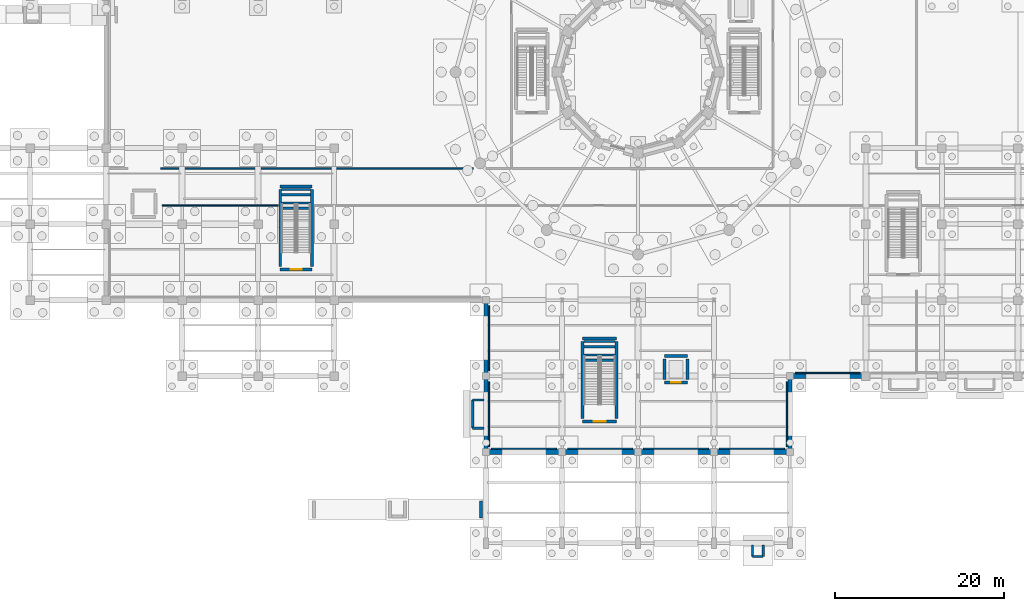
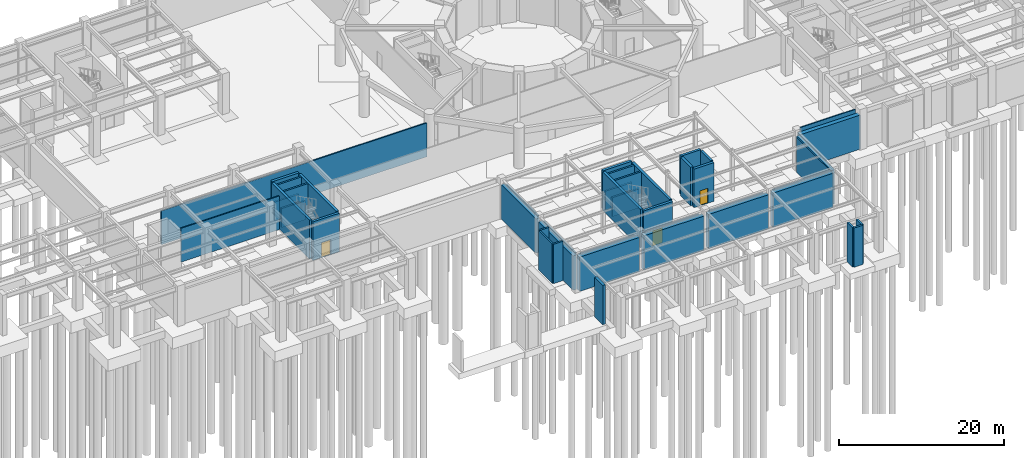
# One storey, part 17 of 36: 45 walls, 3 doors, 3 openings.
"""IFC4 building model written with IfcOpenShell, lengths in metres."""

from ifc_helpers import new_model, si_unit, direction, frame, frame_2d, origin, place, context, subcontext, project, spatial, rectangle, extrude, material, layer, layer_set, type_object, element, fill, save


model = new_model("IFC4")

# Units and contexts
model_context = context("Model", 3, precision=1e-05, world=origin(), true_north=direction((0.0, 1.0)))
body_context = subcontext(model_context, "Body", "Model", "MODEL_VIEW")
ifc_project = project(units=[si_unit("LENGTHUNIT", "METRE"), si_unit("AREAUNIT", "SQUARE_METRE"), si_unit("VOLUMEUNIT", "CUBIC_METRE"), si_unit("PLANEANGLEUNIT", "RADIAN"), si_unit("MASSUNIT", "GRAM", prefix="KILO")], contexts=[model_context])

# Site, building, storey
site_placement = place(None, origin())
site = spatial("IfcSite", under=ifc_project, at=site_placement, CompositionType="ELEMENT")
building_placement = place(site_placement, origin())
building = spatial("IfcBuilding", under=site, at=building_placement, Name="Haizhuo Lancet Aquarium", CompositionType="ELEMENT")
storey_placement = place(building_placement, frame((0.0, 0.0, -6.0)))
storey = spatial("IfcBuildingStorey", under=building, at=storey_placement, Name="B1", CompositionType="ELEMENT", Elevation=-6.0)

# Walls
ifc_material_1 = material(Name="Concrete C40/50", Category="concrete")
ifc_layer_1 = layer(ifc_material_1, 0.179931640625)
ifc_layer_set_1 = layer_set([ifc_layer_1], Name="Concrete C40/50")
wall_type_1 = type_object("IfcWallType", Name="IWL-LAB-180", PredefinedType="PARTITIONING", material=ifc_layer_set_1)
wall_1_placement = place(storey_placement, frame((-56.550048828125, -11.39990234375, 0.0), z_axis=(0.0, 0.0, 1.0), x_axis=(1.0, 0.0, 0.0)))
element("IfcWall", 1, at=wall_1_placement, inside=storey, type_object=wall_type_1, Name="B1 partition wall 35", PredefinedType="PARTITIONING", context=body_context, shape_type="SweptSolid", body=[
    extrude(rectangle(XDim=37.06396484375, YDim=0.179931640625, at=frame_2d((18.531982421875, 0.0))), origin(), (0.0, 0.0, 1.0), 4.985107421875),
])
ifc_material_2 = material(Name="Gypsum Fireboard Partition")
ifc_layer_2 = layer(ifc_material_2, 0.14990234375)
ifc_layer_set_2 = layer_set([ifc_layer_2], Name="Gypsum Fireboard Partition")
wall_type_2 = type_object("IfcWallType", Name="IWL-STD-150", PredefinedType="PARTITIONING", material=ifc_layer_set_2)
wall_2_placement = place(storey_placement, frame((-17.64990234375, -27.64990234375, 0.0), z_axis=(0.0, 0.0, 1.0), x_axis=(0.0, -1.0, 0.0)))
element("IfcWall", 2, at=wall_2_placement, inside=storey, type_object=wall_type_2, Name="B1 partition wall 22", PredefinedType="PARTITIONING", context=body_context, shape_type="SweptSolid", body=[
    extrude(rectangle(XDim=7.7001953125, YDim=0.14990234375, at=frame_2d((3.85009765625, 0.0))), origin(), (0.0, 0.0, 1.0), 5.18505859375),
])
wall_3_placement = place(storey_placement, frame((-17.64990234375, -36.64990234375, 0.0), z_axis=(0.0, 0.0, 1.0), x_axis=(0.0, -1.0, 0.0)))
element("IfcWall", 3, at=wall_3_placement, inside=storey, type_object=wall_type_2, Name="B1 partition wall 23", PredefinedType="PARTITIONING", context=body_context, shape_type="SweptSolid", body=[
    extrude(rectangle(XDim=7.7001953125, YDim=0.14990234375, at=frame_2d((3.85009765625, 0.0))), origin(), (0.0, 0.0, 1.0), 5.197021484375),
])
wall_4_placement = place(storey_placement, frame((-17.360107421875, -44.597900390625, 0.0), z_axis=(0.0, 0.0, 1.0), x_axis=(0.999999959393, -0.000284981465, 0.0)))
element("IfcWall", 4, at=wall_4_placement, inside=storey, type_object=wall_type_2, Name="B1 partition wall 24", PredefinedType="PARTITIONING", context=body_context, shape_type="SweptSolid", body=[
    extrude(rectangle(XDim=7.710205078125, YDim=0.14990234375, at=frame_2d((3.85498046875, 0.0))), origin(), (0.0, 0.0, 1.0), 5.096923828125),
])
for number, where, z_axis, x_axis, name in (
    (5, (-8.35009765625, -44.60009765625, 0.0), (0.0, 0.0, 1.0), (1.0, 0.0, 0.0), "B1 partition wall 25"),
    (6, (0.64990234375, -44.60009765625, 0.0), (0.0, 0.0, 1.0), (1.0, 0.0, 0.0), "B1 partition wall 26"),
):
    element("IfcWall", number, at=place(storey_placement, frame(where, z_axis=z_axis, x_axis=x_axis)), inside=storey, type_object=wall_type_2, Name=name, PredefinedType="PARTITIONING", context=body_context, shape_type="SweptSolid", body=[
        extrude(rectangle(XDim=7.7001953125, YDim=0.14990234375, at=frame_2d((3.85009765625, 0.0))), origin(), (0.0, 0.0, 1.0), 5.096923828125),
    ])
wall_5_placement = place(storey_placement, frame((9.64990234375, -44.60009765625, 0.0), z_axis=(0.0, 0.0, 1.0), x_axis=(0.999999959393, 0.000284981465, 0.0)))
element("IfcWall", 7, at=wall_5_placement, inside=storey, type_object=wall_type_2, Name="B1 partition wall 27", PredefinedType="PARTITIONING", context=body_context, shape_type="SweptSolid", body=[
    extrude(rectangle(XDim=7.710205078125, YDim=0.14990234375, at=frame_2d((3.85498046875, 0.0))), origin(), (0.0, 0.0, 1.0), 5.096923828125),
])
wall_6_placement = place(storey_placement, frame((17.64990234375, -44.35009765625, 0.0), z_axis=(0.0, 0.0, 1.0), x_axis=(0.0, 1.0, 0.0)))
element("IfcWall", 8, at=wall_6_placement, inside=storey, type_object=wall_type_2, Name="B1 partition wall 28", PredefinedType="PARTITIONING", context=body_context, shape_type="SweptSolid", body=[
    extrude(rectangle(XDim=7.7001953125, YDim=0.14990234375, at=frame_2d((3.85009765625, 0.0))), origin(), (0.0, 0.0, 1.0), 5.18505859375),
])
wall_7_placement = place(storey_placement, frame((18.64990234375, -35.64990234375, 0.0), z_axis=(0.0, 0.0, 1.0), x_axis=(1.0, 0.0, 0.0)))
element("IfcWall", 9, at=wall_7_placement, inside=storey, type_object=wall_type_2, Name="B1 partition wall 29", PredefinedType="PARTITIONING", context=body_context, shape_type="SweptSolid", body=[
    extrude(rectangle(XDim=7.7001953125, YDim=0.14990234375, at=frame_2d((3.85009765625, 0.0))), origin(), (0.0, 0.0, 1.0), 5.64990234375),
])
wall_8_placement = place(storey_placement, frame((-42.62109375, -15.803955078125, 0.0), z_axis=(0.0, 0.0, 1.0), x_axis=(-0.999999977148, 0.000213785604, 0.0)))
element("IfcWall", 10, at=wall_8_placement, inside=storey, type_object=wall_type_2, Name="B1 partition wall 33", PredefinedType="PARTITIONING", context=body_context, shape_type="SweptSolid", body=[
    extrude(rectangle(XDim=13.703857421875, YDim=0.14990234375, at=frame_2d((6.85205078125, 0.0))), origin(), (0.0, 0.0, 1.0), 4.985107421875),
])
ifc_layer_3 = layer(ifc_material_1, 0.35009765625)
ifc_layer_set_3 = layer_set([ifc_layer_3], Name="Concrete C40/50")
wall_type_3 = type_object("IfcWallType", Name="WL-CORE-350", PredefinedType="SHEAR", material=ifc_layer_set_3)
for number, where, z_axis, x_axis, name in (
    (11, (-6.39990234375, -33.52490234375, 0.0), (0.0, 0.0, 1.0), (1.0, 0.0, 0.0), "B1 ST-06 landing support wall"),
    (12, (-6.39990234375, -31.925048828125, 0.0), (0.0, 0.0, 1.0), (1.0, 0.0, 0.0), "B1 ST-06 far landing support wall"),
):
    element("IfcWall", number, at=place(storey_placement, frame(where, z_axis=z_axis, x_axis=x_axis)), inside=storey, type_object=wall_type_3, Name=name, PredefinedType="SHEAR", context=body_context, shape_type="SweptSolid", body=[
        extrude(rectangle(XDim=3.699951171875, YDim=0.25, at=frame_2d((1.85009765625, 0.0))), origin(), (0.0, 0.0, 1.0), 2.800048828125),
    ])
for number, where, z_axis, x_axis, name in (
    (13, (-6.39990234375, -34.125, 0.0), (0.0, 0.0, 1.0), (1.0, 0.0, 0.0), "B1 ST-06 upper landing support wall UP1"),
    (14, (-6.39990234375, -32.52490234375, 0.0), (0.0, 0.0, 1.0), (1.0, 0.0, 0.0), "B1 ST-06 upper landing support wall UP2"),
):
    element("IfcWall", number, at=place(storey_placement, frame(where, z_axis=z_axis, x_axis=x_axis)), inside=storey, type_object=wall_type_3, Name=name, PredefinedType="SHEAR", context=body_context, shape_type="SweptSolid", body=[
        extrude(rectangle(XDim=3.699951171875, YDim=0.25, at=frame_2d((1.85009765625, 0.0))), origin(), (0.0, 0.0, 1.0), 5.699951171875),
    ])

# Wall, opening, door
wall_9_placement = place(storey_placement, frame((-6.574951171875, -41.375, 0.0), z_axis=(0.0, 0.0, 1.0), x_axis=(1.0, 0.0, 0.0)))
wall_9 = element("IfcWall", 15, at=wall_9_placement, inside=storey, type_object=wall_type_3, Name="B1 ST-06 core shear wall S", PredefinedType="SHEAR", context=body_context, shape_type="SweptSolid", body=[
    extrude(rectangle(XDim=4.050048828125, YDim=0.35009765625, at=frame_2d((2.02490234375, 0.0))), origin(), (0.0, 0.0, 1.0), 5.699951171875),
])
opening_1_placement = place(wall_9_placement, frame((1.324951171875, 0.0, 0.0)))
opening_1 = element("IfcOpeningElement", 16, at=opening_1_placement, cuts=wall_9, Name="Opening FD-01", PredefinedType="OPENING", context=body_context, shape_type="SweptSolid", body=[
    extrude(rectangle(XDim=1.39990234375, YDim=2.199951171875, at=frame_2d((0.699951171875, 1.10009765625))), frame((0.0, 0.18505859375, 0.0), z_axis=(0.0, -1.0, 0.0), x_axis=(1.0, 0.0, 0.0)), (0.0, 0.0, 1.0), 0.370098),
])
ifc_material_3 = material(Name="Steel S355", Category="steel")
door_type_1 = type_object("IfcDoorType", Name="IDR-STAIR-1400x2200", OperationType="NOTDEFINED", PredefinedType="DOOR", material=ifc_material_3)
door_1_placement = place(opening_1_placement, origin())
door_1 = element("IfcDoor", 17, at=door_1_placement, inside=storey, type_object=door_type_1, Name="B1 ST-06 stairwell fire door", OperationType="SINGLE_SWING_RIGHT", OverallHeight=2.199951171875, OverallWidth=1.39990234375, PredefinedType="DOOR", context=body_context, shape_type="SweptSolid", body=[
    extrude(rectangle(XDim=1.39990234375, YDim=2.199951171875, at=frame_2d((0.699951171875, 1.10009765625))), frame((0.0, 0.02490234375, 0.0), z_axis=(0.0, -1.0, 0.0), x_axis=(1.0, 0.0, 0.0)), (0.0, 0.0, 1.0), 0.050048828125),
])
fill(opening_1, door_1)

# Walls
wall_10_placement = place(storey_placement, frame((-6.574951171875, -31.574951171875, 0.0), z_axis=(0.0, 0.0, 1.0), x_axis=(1.0, 0.0, 0.0)))
element("IfcWall", 18, at=wall_10_placement, inside=storey, type_object=wall_type_3, Name="B1 ST-06 core shear wall N", PredefinedType="SHEAR", context=body_context, shape_type="SweptSolid", body=[
    extrude(rectangle(XDim=4.050048828125, YDim=0.35009765625, at=frame_2d((2.02490234375, 0.0))), origin(), (0.0, 0.0, 1.0), 5.699951171875),
])
for number, where, z_axis, x_axis, name in (
    (19, (-6.574951171875, -41.02490234375, 0.0), (0.0, 0.0, 1.0), (0.0, 1.0, 0.0), "B1 ST-06 core shear wall W"),
    (20, (-2.52490234375, -41.02490234375, 0.0), (0.0, 0.0, 1.0), (0.0, 1.0, 0.0), "B1 ST-06 core shear wall E"),
):
    element("IfcWall", number, at=place(storey_placement, frame(where, z_axis=z_axis, x_axis=x_axis)), inside=storey, type_object=wall_type_3, Name=name, PredefinedType="SHEAR", context=body_context, shape_type="SweptSolid", body=[
        extrude(rectangle(XDim=9.099853515625, YDim=0.35009765625, at=frame_2d((4.5498046875, 0.0))), origin(), (0.0, 0.0, 1.0), 5.699951171875),
    ])
for number, where, z_axis, x_axis, name in (
    (21, (-42.199951171875, -15.52490234375, 0.0), (0.0, 0.0, 1.0), (1.0, 0.0, 0.0), "B1 ST-09 landing support wall"),
    (22, (-42.199951171875, -13.925048828125, 0.0), (0.0, 0.0, 1.0), (1.0, 0.0, 0.0), "B1 ST-09 far landing support wall"),
):
    element("IfcWall", number, at=place(storey_placement, frame(where, z_axis=z_axis, x_axis=x_axis)), inside=storey, type_object=wall_type_3, Name=name, PredefinedType="SHEAR", context=body_context, shape_type="SweptSolid", body=[
        extrude(rectangle(XDim=3.39990234375, YDim=0.25, at=frame_2d((1.699951171875, 0.0))), origin(), (0.0, 0.0, 1.0), 2.800048828125),
    ])
for number, where, z_axis, x_axis, name in (
    (23, (-42.199951171875, -16.125, 0.0), (0.0, 0.0, 1.0), (1.0, 0.0, 0.0), "B1 ST-09 upper landing support wall UP1"),
    (24, (-42.199951171875, -14.52490234375, 0.0), (0.0, 0.0, 1.0), (1.0, 0.0, 0.0), "B1 ST-09 upper landing support wall UP2"),
):
    element("IfcWall", number, at=place(storey_placement, frame(where, z_axis=z_axis, x_axis=x_axis)), inside=storey, type_object=wall_type_3, Name=name, PredefinedType="SHEAR", context=body_context, shape_type="SweptSolid", body=[
        extrude(rectangle(XDim=3.39990234375, YDim=0.25, at=frame_2d((1.699951171875, 0.0))), origin(), (0.0, 0.0, 1.0), 5.699951171875),
    ])

# Wall, opening, door
wall_11_placement = place(storey_placement, frame((-42.375, -23.375, 0.0), z_axis=(0.0, 0.0, 1.0), x_axis=(1.0, 0.0, 0.0)))
wall_11 = element("IfcWall", 25, at=wall_11_placement, inside=storey, type_object=wall_type_3, Name="B1 ST-09 core shear wall S", PredefinedType="SHEAR", context=body_context, shape_type="SweptSolid", body=[
    extrude(rectangle(XDim=3.75, YDim=0.35009765625, at=frame_2d((1.875, 0.0))), origin(), (0.0, 0.0, 1.0), 5.699951171875),
])
opening_2_placement = place(wall_11_placement, frame((1.22509765625, 0.0, 0.0)))
opening_2 = element("IfcOpeningElement", 26, at=opening_2_placement, cuts=wall_11, Name="Opening FD-02", PredefinedType="OPENING", context=body_context, shape_type="SweptSolid", body=[
    extrude(rectangle(XDim=1.300048828125, YDim=2.199951171875, at=frame_2d((0.64990234375, 1.10009765625))), frame((0.0, 0.18505859375, 0.0), z_axis=(0.0, -1.0, 0.0), x_axis=(1.0, 0.0, 0.0)), (0.0, 0.0, 1.0), 0.370098),
])
door_type_2 = type_object("IfcDoorType", Name="IDR-STAIR-1300x2200", OperationType="NOTDEFINED", PredefinedType="DOOR", material=ifc_material_3)
door_2_placement = place(opening_2_placement, origin())
door_2 = element("IfcDoor", 27, at=door_2_placement, inside=storey, type_object=door_type_2, Name="B1 ST-09 stairwell fire door", OperationType="SINGLE_SWING_LEFT", OverallHeight=2.199951171875, OverallWidth=1.300048828125, PredefinedType="DOOR", context=body_context, shape_type="SweptSolid", body=[
    extrude(rectangle(XDim=1.300048828125, YDim=2.199951171875, at=frame_2d((0.64990234375, 1.10009765625))), frame((0.0, 0.02490234375, 0.0), z_axis=(0.0, -1.0, 0.0), x_axis=(1.0, 0.0, 0.0)), (0.0, 0.0, 1.0), 0.050048828125),
])
fill(opening_2, door_2)

# Walls
wall_12_placement = place(storey_placement, frame((-42.375, -13.574951171875, 0.0), z_axis=(0.0, 0.0, 1.0), x_axis=(1.0, 0.0, 0.0)))
element("IfcWall", 28, at=wall_12_placement, inside=storey, type_object=wall_type_3, Name="B1 ST-09 core shear wall N", PredefinedType="SHEAR", context=body_context, shape_type="SweptSolid", body=[
    extrude(rectangle(XDim=3.75, YDim=0.35009765625, at=frame_2d((1.875, 0.0))), origin(), (0.0, 0.0, 1.0), 5.699951171875),
])
for number, where, z_axis, x_axis, name in (
    (29, (-42.375, -23.02490234375, 0.0), (0.0, 0.0, 1.0), (0.0, 1.0, 0.0), "B1 ST-09 core shear wall W"),
    (30, (-38.625, -23.02490234375, 0.0), (0.0, 0.0, 1.0), (0.0, 1.0, 0.0), "B1 ST-09 core shear wall E"),
):
    element("IfcWall", number, at=place(storey_placement, frame(where, z_axis=z_axis, x_axis=x_axis)), inside=storey, type_object=wall_type_3, Name=name, PredefinedType="SHEAR", context=body_context, shape_type="SweptSolid", body=[
        extrude(rectangle(XDim=9.099853515625, YDim=0.35009765625, at=frame_2d((4.5498046875, 0.0))), origin(), (0.0, 0.0, 1.0), 5.699951171875),
    ])

# Wall, opening, door
wall_13_placement = place(storey_placement, frame((3.125, -36.77490234375, 0.0), z_axis=(0.0, 0.0, 1.0), x_axis=(1.0, 0.0, 0.0)))
wall_13 = element("IfcWall", 31, at=wall_13_placement, inside=storey, type_object=wall_type_3, Name="B1 LP-03 lift shaft wall -Y", PredefinedType="SHEAR", context=body_context, shape_type="SweptSolid", body=[
    extrude(rectangle(XDim=2.75, YDim=0.35009765625, at=frame_2d((1.375, 0.0))), origin(), (0.0, 0.0, 1.0), 5.699951171875),
])
opening_3_placement = place(wall_13_placement, frame((0.824951171875, 0.0, 0.0)))
opening_3 = element("IfcOpeningElement", 32, at=opening_3_placement, cuts=wall_13, Name="Opening LD-01", PredefinedType="OPENING", context=body_context, shape_type="SweptSolid", body=[
    extrude(rectangle(XDim=1.10009765625, YDim=2.199951171875, at=frame_2d((0.550048828125, 1.10009765625))), frame((0.0, 0.18505859375, 0.0), z_axis=(0.0, -1.0, 0.0), x_axis=(1.0, 0.0, 0.0)), (0.0, 0.0, 1.0), 0.370098),
])
door_type_3 = type_object("IfcDoorType", Name="IDR-LIFT-1100x2200", OperationType="NOTDEFINED", PredefinedType="DOOR", material=ifc_material_3)
door_3_placement = place(opening_3_placement, origin())
door_3 = element("IfcDoor", 33, at=door_3_placement, inside=storey, type_object=door_type_3, Name="B1 LP-03 sliding lift landing door", OperationType="DOUBLE_DOOR_SLIDING", OverallHeight=2.199951171875, OverallWidth=1.10009765625, PredefinedType="DOOR", context=body_context, shape_type="SweptSolid", body=[
    extrude(rectangle(XDim=1.10009765625, YDim=2.199951171875, at=frame_2d((0.550048828125, 1.10009765625))), frame((0.0, 0.02490234375, 0.0), z_axis=(0.0, -1.0, 0.0), x_axis=(1.0, 0.0, 0.0)), (0.0, 0.0, 1.0), 0.050048828125),
])
fill(opening_3, door_3)

# Walls
wall_14_placement = place(storey_placement, frame((5.875, -33.625, 0.0), z_axis=(0.0, 0.0, 1.0), x_axis=(-1.0, 0.0, 0.0)))
element("IfcWall", 34, at=wall_14_placement, inside=storey, type_object=wall_type_3, Name="B1 LP-03 lift shaft wall +Y", PredefinedType="SHEAR", context=body_context, shape_type="SweptSolid", body=[
    extrude(rectangle(XDim=2.75, YDim=0.35009765625, at=frame_2d((1.375, 0.0))), origin(), (0.0, 0.0, 1.0), 5.699951171875),
])
for number, where, z_axis, x_axis, name in (
    (35, (3.125, -36.425048828125, 0.0), (0.0, 0.0, 1.0), (0.0, 1.0, 0.0), "B1 LP-03 lift shaft wall -X"),
    (36, (5.875, -36.425048828125, 0.0), (0.0, 0.0, 1.0), (0.0, 1.0, 0.0), "B1 LP-03 lift shaft wall +X"),
):
    element("IfcWall", number, at=place(storey_placement, frame(where, z_axis=z_axis, x_axis=x_axis)), inside=storey, type_object=wall_type_3, Name=name, PredefinedType="SHEAR", context=body_context, shape_type="SweptSolid", body=[
        extrude(rectangle(XDim=2.449951171875, YDim=0.35009765625, at=frame_2d((1.22509765625, 0.0))), origin(), (0.0, 0.0, 1.0), 5.699951171875),
    ])
wall_15_placement = place(storey_placement, frame((-18.60009765625, -52.800048828125, 0.0), z_axis=(0.0, 0.0, 1.0), x_axis=(0.0, 1.0, 0.0)))
element("IfcWall", 37, at=wall_15_placement, inside=storey, type_object=wall_type_3, material=ifc_material_1, Name="South Forecourt Accessible Plinth Ramp RMP-03 bearing wall TOP", PredefinedType="SOLIDWALL", context=body_context, shape_type="SweptSolid", body=[
    extrude(rectangle(XDim=2.0, YDim=0.35009765625, at=frame_2d((1.0, 0.0))), origin(), (0.0, 0.0, 1.0), 5.801025390625),
])
for number, where, z_axis, x_axis, name in (
    (38, (-19.580078125, -38.820068359375, 0.0), (0.0, 0.0, 1.0), (1.0, 0.0, 0.0), "Entrance apron skirt wall 3.1"),
    (39, (-18.27001953125, -42.179931640625, 0.0), (0.0, 0.0, 1.0), (-1.0, 0.0, 0.0), "Entrance apron skirt wall 3.2"),
):
    element("IfcWall", number, at=place(storey_placement, frame(where, z_axis=z_axis, x_axis=x_axis)), inside=storey, type_object=wall_type_3, material=ifc_material_1, Name=name, PredefinedType="SOLIDWALL", context=body_context, shape_type="SweptSolid", body=[
        extrude(rectangle(XDim=1.31005859375, YDim=0.25, at=frame_2d((0.655029296875, 0.0))), origin(), (0.0, 0.0, 1.0), 5.800048828125),
    ])
wall_16_placement = place(storey_placement, frame((-19.580078125, -42.179931640625, 0.0), z_axis=(0.0, 0.0, 1.0), x_axis=(0.0, 1.0, 0.0)))
element("IfcWall", 40, at=wall_16_placement, inside=storey, type_object=wall_type_3, material=ifc_material_1, Name="Entrance apron skirt wall 3.3", PredefinedType="SOLIDWALL", context=body_context, shape_type="SweptSolid", body=[
    extrude(rectangle(XDim=3.35986328125, YDim=0.25, at=frame_2d((1.679931640625, 0.0))), origin(), (0.0, 0.0, 1.0), 5.800048828125),
])
wall_17_placement = place(storey_placement, frame((14.830078125, -56.02490234375, 0.0), z_axis=(0.0, 0.0, 1.0), x_axis=(0.0, -1.0, 0.0)))
element("IfcWall", 41, at=wall_17_placement, inside=storey, type_object=wall_type_3, material=ifc_material_1, Name="Entrance apron skirt wall 4.1", PredefinedType="SOLIDWALL", context=body_context, shape_type="SweptSolid", body=[
    extrude(rectangle(XDim=1.35498046875, YDim=0.25, at=frame_2d((0.677490234375, 0.0))), origin(), (0.0, 0.0, 1.0), 5.800048828125),
])
wall_18_placement = place(storey_placement, frame((14.830078125, -57.3798828125, 0.0), z_axis=(0.0, 0.0, 1.0), x_axis=(-1.0, 0.0, 0.0)))
element("IfcWall", 42, at=wall_18_placement, inside=storey, type_object=wall_type_3, material=ifc_material_1, Name="Entrance apron skirt wall 4.2", PredefinedType="SOLIDWALL", context=body_context, shape_type="SweptSolid", body=[
    extrude(rectangle(XDim=1.260009765625, YDim=0.25, at=frame_2d((0.6298828125, 0.0))), origin(), (0.0, 0.0, 1.0), 5.800048828125),
])
wall_19_placement = place(storey_placement, frame((13.570068359375, -57.3798828125, 0.0), z_axis=(0.0, 0.0, 1.0), x_axis=(0.0, 1.0, 0.0)))
element("IfcWall", 43, at=wall_19_placement, inside=storey, type_object=wall_type_3, material=ifc_material_1, Name="Entrance apron skirt wall 4.3", PredefinedType="SOLIDWALL", context=body_context, shape_type="SweptSolid", body=[
    extrude(rectangle(XDim=1.35498046875, YDim=0.25, at=frame_2d((0.677490234375, 0.0))), origin(), (0.0, 0.0, 1.0), 5.800048828125),
])
ifc_material_4 = material(Name="Concrete C45/55", Category="concrete")
ifc_layer_4 = layer(ifc_material_4, 0.5)
ifc_layer_set_4 = layer_set([ifc_layer_4], Name="Concrete C45/55")
wall_type_4 = type_object("IfcWallType", Name="WL-RET-500", PredefinedType="USERDEFINED", material=ifc_layer_set_4)
for number, where, z_axis, x_axis, name in (
    (44, (-18.0, -27.300048828125, 0.0), (0.0, 0.0, 1.0), (0.0, -1.0, 0.0), "B1 waterproof perimeter retaining wall 2.1"),
    (45, (-18.0, -36.300048828125, 0.0), (0.0, 0.0, 1.0), (0.0, -1.0, 0.0), "B1 waterproof perimeter retaining wall 2.2"),
    (46, (18.0, -44.699951171875, 0.0), (0.0, 0.0, 1.0), (0.0, 1.0, 0.0), "B1 waterproof perimeter retaining wall 4.1"),
):
    element("IfcWall", number, at=place(storey_placement, frame(where, z_axis=z_axis, x_axis=x_axis)), inside=storey, type_object=wall_type_4, Name=name, ObjectType="RETAININGWALL", PredefinedType="USERDEFINED", context=body_context, shape_type="SweptSolid", body=[
        extrude(rectangle(XDim=8.39990234375, YDim=0.5, at=frame_2d((4.199951171875, 0.0))), origin(), (0.0, 0.0, 1.0), 5.050048828125),
    ])
ifc_layer_5 = layer(ifc_material_4, 0.60009765625)
ifc_layer_set_5 = layer_set([ifc_layer_5], Name="Concrete C45/55")
wall_type_5 = type_object("IfcWallType", Name="WL-RET-600", PredefinedType="USERDEFINED", material=ifc_layer_set_5)
for number, where, z_axis, x_axis, name in (
    (47, (-17.699951171875, -45.0, 0.0), (0.0, 0.0, 1.0), (1.0, 0.0, 0.0), "B1 waterproof perimeter retaining wall 3.1"),
    (48, (-8.699951171875, -45.0, 0.0), (0.0, 0.0, 1.0), (1.0, 0.0, 0.0), "B1 waterproof perimeter retaining wall 3.2"),
    (49, (0.300048828125, -45.0, 0.0), (0.0, 0.0, 1.0), (1.0, 0.0, 0.0), "B1 waterproof perimeter retaining wall 3.3"),
    (50, (9.300048828125, -45.0, 0.0), (0.0, 0.0, 1.0), (1.0, 0.0, 0.0), "B1 waterproof perimeter retaining wall 3.4"),
    (51, (18.300048828125, -36.0, 0.0), (0.0, 0.0, 1.0), (1.0, 0.0, 0.0), "B1 waterproof perimeter retaining wall 5.1"),
):
    element("IfcWall", number, at=place(storey_placement, frame(where, z_axis=z_axis, x_axis=x_axis)), inside=storey, type_object=wall_type_5, Name=name, ObjectType="RETAININGWALL", PredefinedType="USERDEFINED", context=body_context, shape_type="SweptSolid", body=[
        extrude(rectangle(XDim=8.39990234375, YDim=0.60009765625, at=frame_2d((4.199951171875, 0.0))), origin(), (0.0, 0.0, 1.0), 5.050048828125),
    ])

save(model, "model.ifc")
